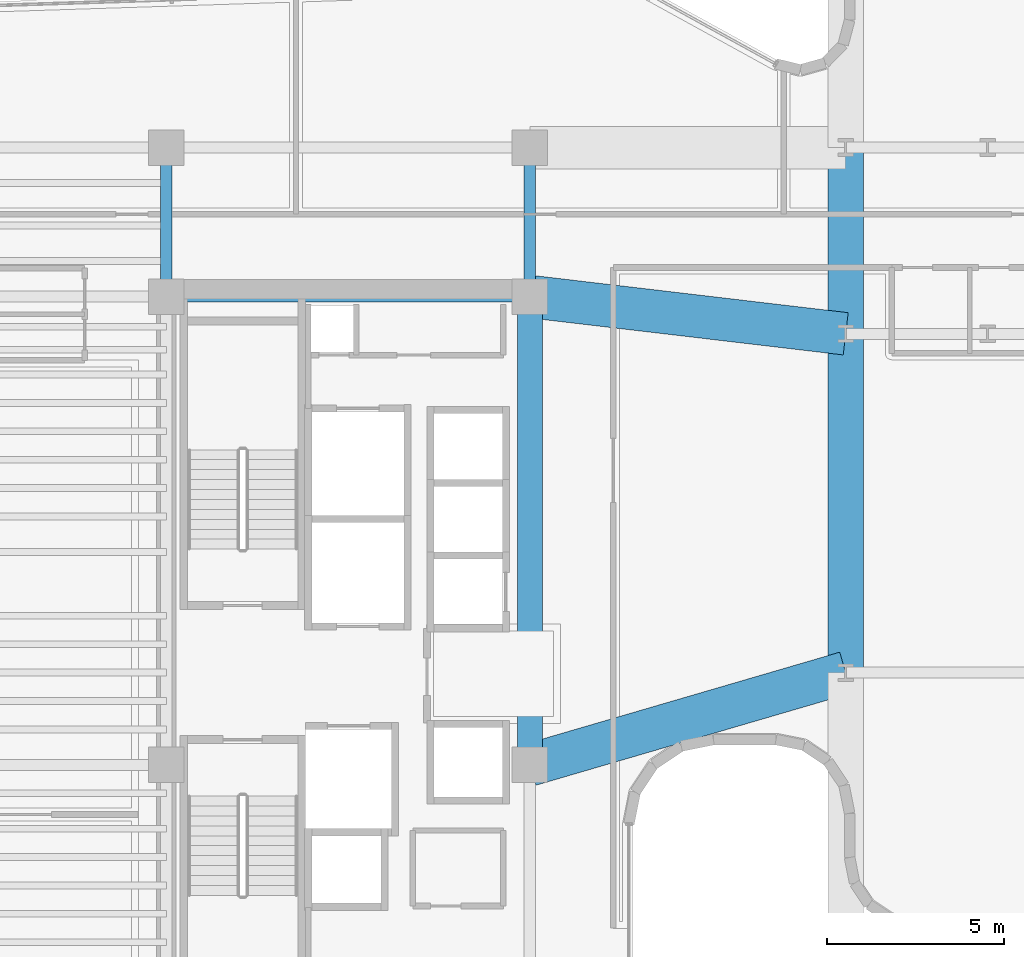
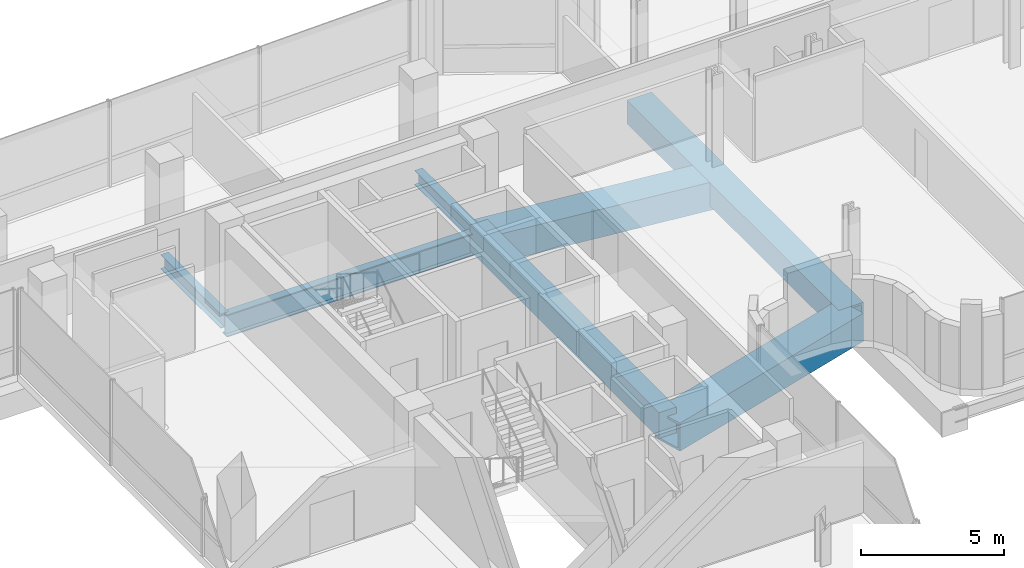
# One storey, part 9 of 37: 7 beams.
"""IFC4 building model written with IfcOpenShell, lengths in metres."""

from ifc_helpers import new_model, si_unit, direction, frame, origin, origin_2d, place, context, subcontext, project, spatial, rectangle, hollow_rectangle, i_section, extrude, source, transform, mapped, material, material_profile, profile_set, type_object, element, save


model = new_model("IFC4")

# Units and contexts
model_context = context("Model", 3, precision=1e-05, world=origin(), true_north=direction((0.0, 1.0)))
body_context = subcontext(model_context, "Body", "Model", "MODEL_VIEW")
ifc_project = project(units=[si_unit("LENGTHUNIT", "METRE"), si_unit("AREAUNIT", "SQUARE_METRE"), si_unit("VOLUMEUNIT", "CUBIC_METRE"), si_unit("PLANEANGLEUNIT", "RADIAN"), si_unit("MASSUNIT", "GRAM", prefix="KILO")], contexts=[model_context])

# Site, building, storey
site_placement = place(None, origin())
site = spatial("IfcSite", under=ifc_project, at=site_placement, CompositionType="ELEMENT")
building_placement = place(site_placement, origin())
building = spatial("IfcBuilding", under=site, at=building_placement, Name="Valdorenza Pilgrim Sanctuary Tower", CompositionType="ELEMENT")
storey_placement = place(building_placement, frame((0.0, 0.0, 188.39990234375)))
storey = spatial("IfcBuildingStorey", under=building, at=storey_placement, Name="L48", CompositionType="ELEMENT", Elevation=188.39990234375)

# Beams
ifc_material_1 = material(Name="Concrete C50/60", Category="concrete")
ifc_material_profile_1 = material_profile(ifc_material_1, rectangle(XDim=0.699951171875, YDim=1.10009765625, at=origin_2d()), Name="RC 1100x700")
ifc_profile_set_1 = profile_set([ifc_material_profile_1], Name="Concrete C50/60")
beam_type_1 = type_object("IfcBeamType", Name="STR-BM-LNT-1100", PredefinedType="LINTEL", material=ifc_profile_set_1)
shared_shape_1 = source(origin(), body_context, "Body", "SweptSolid", [
    extrude(rectangle(XDim=0.699951171875, YDim=1.10009765625, at=origin_2d()), origin(), (0.0, 0.0, 1.0), 13.2001953125),
])
beam_1_placement = place(storey_placement, frame((-12.39990234375, -2.60009765625, -0.58984375), z_axis=(0.0, 1.0, 0.0), x_axis=(-1.0, 0.0, 0.0)))
element("IfcBeam", 1, at=beam_1_placement, inside=storey, type_object=beam_type_1, Name="L48 Core A Coupling Lintel Girder", PredefinedType="LINTEL", context=body_context, shape_type="MappedRepresentation", body=[
    mapped(shared_shape_1, transform((0.0, 0.0, 0.0), x_axis=(1.0, 0.0, 0.0), y_axis=(0.0, 1.0, 0.0), z_axis=(0.0, 0.0, 1.0), scale=1.0)),
])
ifc_material_2 = material(Name="Steel ASTM A992 Grade 50", Category="steel")
ifc_material_profile_2 = material_profile(ifc_material_2, i_section(OverallWidth=0.323974609375, OverallDepth=0.611083984375, WebThickness=0.0126953125, FlangeThickness=0.01904296875, at=origin_2d()), Name="W24X104")
ifc_profile_set_2 = profile_set([ifc_material_profile_2], Name="Steel ASTM A992 Grade 50")
beam_type_2 = type_object("IfcBeamType", Name="STR-BM-GRD-W24B", PredefinedType="BEAM", material=ifc_profile_set_2)
shared_shape_2 = source(origin(), body_context, "Body", "SweptSolid", [
    extrude(i_section(OverallWidth=0.323974609375, OverallDepth=0.611083984375, WebThickness=0.0126953125, FlangeThickness=0.01904296875, at=origin_2d()), origin(), (0.0, 0.0, 1.0), 4.199951171875),
])
for number, where, z_axis, x_axis, name in (
    (2, (-22.64990234375, 10.60009765625, -0.62548828125), (0.0, 1.0, 0.0), (-1.0, 0.0, 0.0), "L48 Core Tie Girder CA-W-N1N2"),
    (3, (-12.39990234375, 10.60009765625, -0.62548828125), (0.0, 1.0, 0.0), (-1.0, 0.0, 0.0), "L48 Core Tie Girder CA-E-N1N2"),
):
    element("IfcBeam", number, at=place(storey_placement, frame(where, z_axis=z_axis, x_axis=x_axis)), inside=storey, type_object=beam_type_2, Name=name, PredefinedType="BEAM", context=body_context, shape_type="MappedRepresentation", body=[
        mapped(shared_shape_2, transform((0.0, 0.0, 0.0), x_axis=(1.0, 0.0, 0.0), y_axis=(0.0, 1.0, 0.0), z_axis=(0.0, 0.0, 1.0), scale=1.0)),
    ])
ifc_material_profile_3 = material_profile(ifc_material_2, i_section(OverallWidth=0.31005859375, OverallDepth=0.949951171875, WebThickness=0.0244140625, FlangeThickness=0.0439453125, at=origin_2d()), Name="W36X256")
ifc_profile_set_3 = profile_set([ifc_material_profile_3], Name="Steel ASTM A992 Grade 50")
beam_type_3 = type_object("IfcBeamType", Name="STR-BM-GRD-W36B", PredefinedType="BEAM", material=ifc_profile_set_3)
shared_shape_3 = source(origin(), body_context, "Body", "SweptSolid", [
    extrude(i_section(OverallWidth=0.31005859375, OverallDepth=0.949951171875, WebThickness=0.0244140625, FlangeThickness=0.0439453125, at=origin_2d()), origin(), (0.0, 0.0, 1.0), 10.25),
])
beam_2_placement = place(storey_placement, frame((-22.64990234375, 10.60009765625, -0.794921875), z_axis=(1.0, 0.0, 0.0), x_axis=(0.0, 1.0, 0.0)))
element("IfcBeam", 4, at=beam_2_placement, inside=storey, type_object=beam_type_3, Name="L48 Floor Girder CA-XC-N1", PredefinedType="BEAM", context=body_context, shape_type="MappedRepresentation", body=[
    mapped(shared_shape_3, transform((0.0, 0.0, 0.0), x_axis=(1.0, 0.0, 0.0), y_axis=(0.0, 1.0, 0.0), z_axis=(0.0, 0.0, 1.0), scale=1.0)),
])
ifc_material_3 = material(Name="Steel ASTM A572 Grade 42", Category="steel")
ifc_material_profile_4 = material_profile(ifc_material_3, hollow_rectangle(XDim=1.199951171875, YDim=1.199951171875, WallThickness=0.090087890625, at=origin_2d()), Name="BOX 1200x1200x90")
ifc_profile_set_4 = profile_set([ifc_material_profile_4], Name="Steel ASTM A572 Grade 42")
beam_type_4 = type_object("IfcBeamType", Name="STR-BM-TRF-1200", PredefinedType="BEAM", material=ifc_profile_set_4)
shared_shape_4 = source(origin(), body_context, "Body", "SweptSolid", [
    extrude(hollow_rectangle(XDim=1.199951171875, YDim=1.199951171875, WallThickness=0.090087890625, at=origin_2d()), origin(), (0.0, 0.0, 1.0), 9.27197265625),
])
beam_3_placement = place(storey_placement, frame((-12.39990234375, -2.60009765625, -0.919921875), z_axis=(0.959875453664, 0.280426663234, 0.0), x_axis=(-0.280426663234, 0.959875453664, 0.0)))
element("IfcBeam", 5, at=beam_3_placement, inside=storey, type_object=beam_type_4, Name="L48 Portal Bridge Transfer Girder PRY-G1-P0", PredefinedType="BEAM", context=body_context, shape_type="MappedRepresentation", body=[
    mapped(shared_shape_4, transform((0.0, 0.0, 0.0), x_axis=(1.0, 0.0, 0.0), y_axis=(0.0, 1.0, 0.0), z_axis=(0.0, 0.0, 1.0), scale=1.0)),
])
shared_shape_5 = source(origin(), body_context, "Body", "SweptSolid", [
    extrude(hollow_rectangle(XDim=1.199951171875, YDim=1.199951171875, WallThickness=0.090087890625, at=origin_2d()), origin(), (0.0, 0.0, 1.0), 8.961669921875),
])
beam_4_placement = place(storey_placement, frame((-12.39990234375, 10.60009765625, -0.919921875), z_axis=(0.993111684121, -0.117171595803, 0.0), x_axis=(0.117171595803, 0.993111684121, 0.0)))
element("IfcBeam", 6, at=beam_4_placement, inside=storey, type_object=beam_type_4, Name="L48 Portal Bridge Transfer Girder PRY-G1-P9", PredefinedType="BEAM", context=body_context, shape_type="MappedRepresentation", body=[
    mapped(shared_shape_5, transform((0.0, 0.0, 0.0), x_axis=(1.0, 0.0, 0.0), y_axis=(0.0, 1.0, 0.0), z_axis=(0.0, 0.0, 1.0), scale=1.0)),
])
ifc_material_profile_5 = material_profile(ifc_material_3, hollow_rectangle(XDim=1.0, YDim=1.0, WallThickness=0.080078125, at=origin_2d()), Name="BOX 1000x1000x80")
ifc_profile_set_5 = profile_set([ifc_material_profile_5], Name="Steel ASTM A572 Grade 42")
beam_type_5 = type_object("IfcBeamType", Name="STR-BM-PROW-CANT", PredefinedType="BEAM", material=ifc_profile_set_5)
shared_shape_6 = source(origin(), body_context, "Body", "SweptSolid", [
    extrude(hollow_rectangle(XDim=1.0, YDim=1.0, WallThickness=0.080078125, at=origin_2d()), origin(), (0.0, 0.0, 1.0), 14.800048828125),
])
beam_5_placement = place(storey_placement, frame((-3.5, 0.0, -0.81982421875), z_axis=(0.0, 1.0, 0.0), x_axis=(-1.0, 0.0, 0.0)))
element("IfcBeam", 7, at=beam_5_placement, inside=storey, type_object=beam_type_5, Name="L48 Sanctuary Backspan Girder PROW-BACK-N-W", PredefinedType="BEAM", context=body_context, shape_type="MappedRepresentation", body=[
    mapped(shared_shape_6, transform((0.0, 0.0, 0.0), x_axis=(1.0, 0.0, 0.0), y_axis=(0.0, 1.0, 0.0), z_axis=(0.0, 0.0, 1.0), scale=1.0)),
])

save(model, "model.ifc")
